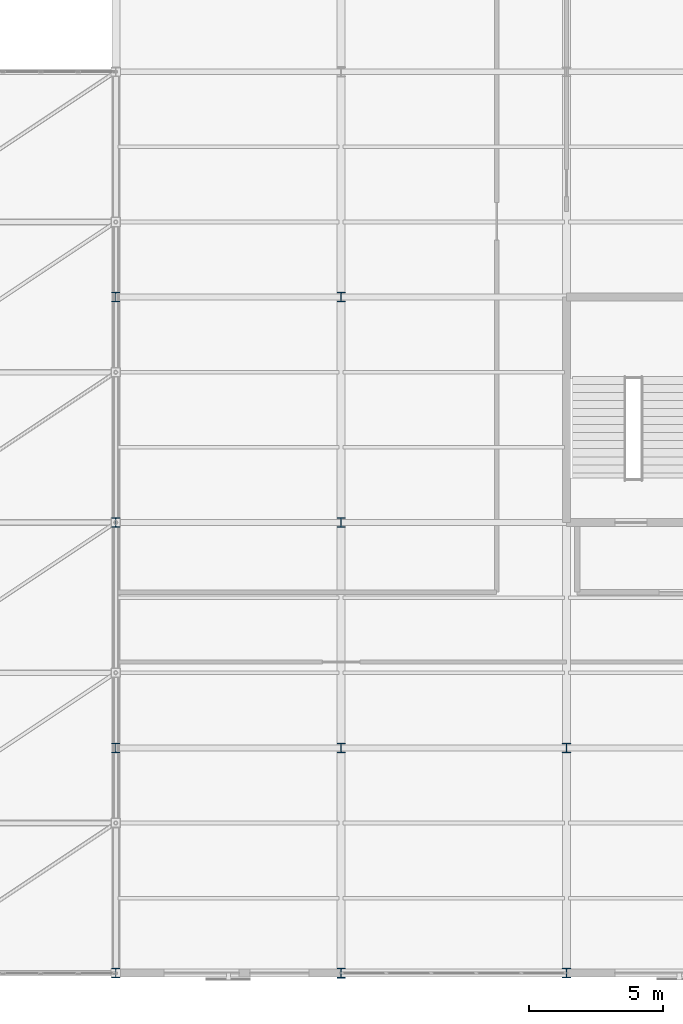
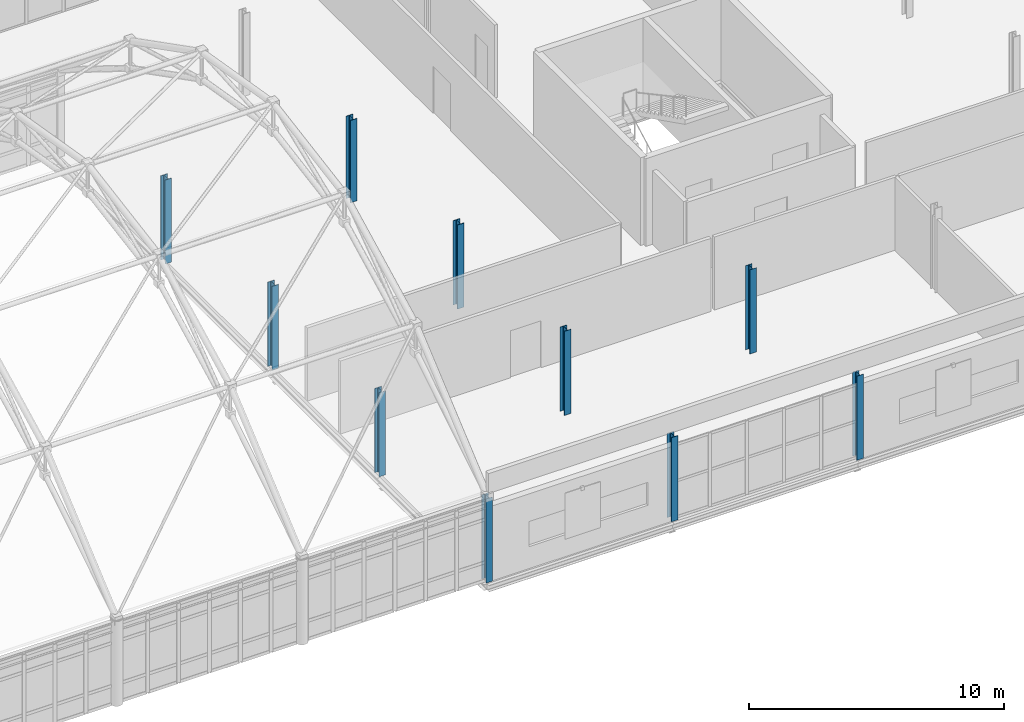
# One storey, part 6 of 184: 10 columns.
"""IFC4 building model written with IfcOpenShell, lengths in metres."""

from ifc_helpers import new_model, si_unit, direction, frame, origin, origin_2d, place, context, subcontext, project, spatial, i_section, extrude, material, material_profile, profile_set, type_object, element, save


model = new_model("IFC4")

# Units and contexts
model_context = context("Model", 3, precision=1e-05, world=origin(), true_north=direction((0.0, 1.0)))
body_context = subcontext(model_context, "Body", "Model", "MODEL_VIEW")
ifc_project = project(units=[si_unit("LENGTHUNIT", "METRE"), si_unit("AREAUNIT", "SQUARE_METRE"), si_unit("VOLUMEUNIT", "CUBIC_METRE"), si_unit("PLANEANGLEUNIT", "RADIAN"), si_unit("MASSUNIT", "GRAM", prefix="KILO")], contexts=[model_context])

# Site, building, storey
site_placement = place(None, origin())
site = spatial("IfcSite", under=ifc_project, at=site_placement, CompositionType="ELEMENT")
building_placement = place(site_placement, origin())
building = spatial("IfcBuilding", under=site, at=building_placement, Name="Qalvenar Corner Mobility Hub", CompositionType="ELEMENT")
storey_placement = place(building_placement, frame((0.0, 0.0, 9.0)))
storey = spatial("IfcBuildingStorey", under=building, at=storey_placement, Name="L02", CompositionType="ELEMENT", Elevation=9.0)

# Columns
ifc_material = material(Name="Steel S355", Category="steel")
ifc_material_profile_1 = material_profile(ifc_material, i_section(OverallWidth=0.300048828125, OverallDepth=0.35009765625, WebThickness=0.010009765625, FlangeThickness=0.017578125, FilletRadius=0.027099609375, at=origin_2d()), Name="HEA360")
ifc_profile_set_1 = profile_set([ifc_material_profile_1], Name="Steel S355")
column_type_1 = type_object("IfcColumnType", Name="COL-HEA360", PredefinedType="COLUMN", material=ifc_profile_set_1)
for number, where, z_axis, x_axis, name in (
    (1, (109.199951171875, 0.0, 0.0), (0.0, 0.0, 1.0), (1.0, 0.0, 0.0), "Steel Column L02-G14-0"),
    (2, (109.199951171875, 8.39990234375, 0.0), (0.0, 0.0, 1.0), (1.0, 0.0, 0.0), "Steel Column L02-G14-1"),
    (3, (109.199951171875, 16.800048828125, 0.0), (0.0, 0.0, 1.0), (1.0, 0.0, 0.0), "Steel Column L02-G14-2"),
    (4, (109.199951171875, 25.199951171875, 0.0), (0.0, 0.0, 1.0), (1.0, 0.0, 0.0), "Steel Column L02-G14-3"),
    (5, (126.0, 0.0, 0.0), (0.0, 0.0, 1.0), (1.0, 0.0, 0.0), "Steel Column L02-G16-0"),
    (6, (126.0, 8.39990234375, 0.0), (0.0, 0.0, 1.0), (1.0, 0.0, 0.0), "Steel Column L02-G16-1"),
):
    element("IfcColumn", number, at=place(storey_placement, frame(where, z_axis=z_axis, x_axis=x_axis)), inside=storey, type_object=column_type_1, Name=name, PredefinedType="COLUMN", context=body_context, shape_type="SweptSolid", body=[
        extrude(i_section(OverallWidth=0.300048828125, OverallDepth=0.35009765625, WebThickness=0.010009765625, FlangeThickness=0.017578125, FilletRadius=0.027099609375, at=origin_2d()), origin(), (0.0, 0.0, 1.0), 4.030029296875),
    ])
ifc_material_profile_2 = material_profile(ifc_material, i_section(OverallWidth=0.300048828125, OverallDepth=0.360107421875, WebThickness=0.012451171875, FlangeThickness=0.0224609375, FilletRadius=0.027099609375, at=origin_2d()), Name="HEB360")
ifc_profile_set_2 = profile_set([ifc_material_profile_2], Name="Steel S355")
column_type_2 = type_object("IfcColumnType", Name="COL-HEB360", PredefinedType="COLUMN", material=ifc_profile_set_2)
for number, where, z_axis, x_axis, name in (
    (7, (117.60009765625, 0.0, 0.0), (0.0, 0.0, 1.0), (1.0, 0.0, 0.0), "Steel Column L02-G15-0"),
    (8, (117.60009765625, 8.39990234375, 0.0), (0.0, 0.0, 1.0), (1.0, 0.0, 0.0), "Steel Column L02-G15-1"),
    (9, (117.60009765625, 16.800048828125, 0.0), (0.0, 0.0, 1.0), (1.0, 0.0, 0.0), "Steel Column L02-G15-2"),
):
    element("IfcColumn", number, at=place(storey_placement, frame(where, z_axis=z_axis, x_axis=x_axis)), inside=storey, type_object=column_type_2, Name=name, PredefinedType="COLUMN", context=body_context, shape_type="SweptSolid", body=[
        extrude(i_section(OverallWidth=0.300048828125, OverallDepth=0.360107421875, WebThickness=0.012451171875, FlangeThickness=0.0224609375, FilletRadius=0.027099609375, at=origin_2d()), origin(), (0.0, 0.0, 1.0), 4.030029296875),
    ])
column_placement = place(storey_placement, frame((117.60009765625, 25.199951171875, 0.0), z_axis=(0.0, 0.0, 1.0), x_axis=(1.0, 0.0, 0.0)))
element("IfcColumn", 10, at=column_placement, inside=storey, type_object=column_type_2, Name="Steel Column L02-G15-3", PredefinedType="COLUMN", context=body_context, shape_type="SweptSolid", body=[
    extrude(i_section(OverallWidth=0.300048828125, OverallDepth=0.360107421875, WebThickness=0.012451171875, FlangeThickness=0.0224609375, FilletRadius=0.027099609375, at=origin_2d()), origin(), (0.0, 0.0, 1.0), 3.945068359375),
])

save(model, "model.ifc")
